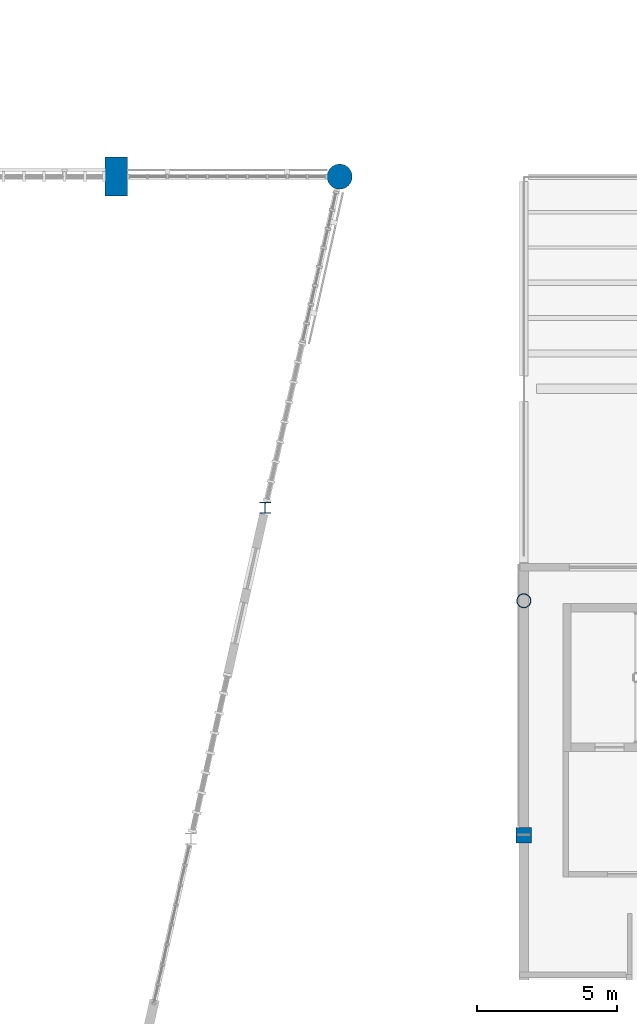
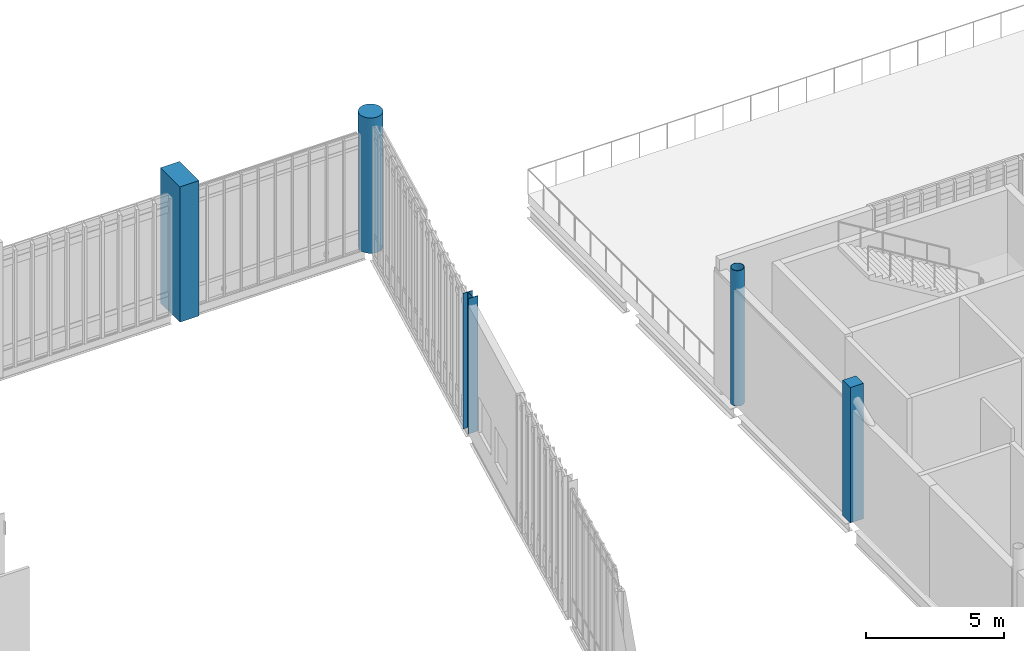
# One storey, part 7 of 135: 5 columns.
"""IFC4 building model written with IfcOpenShell, lengths in metres."""

from ifc_helpers import new_model, si_unit, direction, frame, origin, origin_2d, place, context, subcontext, project, spatial, rectangle, circle, hollow_circle, i_section, extrude, material, material_profile, profile_set, type_object, element, save


model = new_model("IFC4")

# Units and contexts
model_context = context("Model", 3, precision=1e-05, world=origin(), true_north=direction((0.0, 1.0)))
body_context = subcontext(model_context, "Body", "Model", "MODEL_VIEW")
ifc_project = project(units=[si_unit("LENGTHUNIT", "METRE"), si_unit("AREAUNIT", "SQUARE_METRE"), si_unit("VOLUMEUNIT", "CUBIC_METRE"), si_unit("PLANEANGLEUNIT", "RADIAN"), si_unit("MASSUNIT", "GRAM", prefix="KILO")], contexts=[model_context])

# Site, building, storey
site_placement = place(None, origin())
site = spatial("IfcSite", under=ifc_project, at=site_placement, CompositionType="ELEMENT")
building_placement = place(site_placement, origin())
building = spatial("IfcBuilding", under=site, at=building_placement, Name="Larkvane Passage Sports Hall", CompositionType="ELEMENT")
storey_placement = place(building_placement, frame((0.0, 0.0, 10.800048828125)))
storey = spatial("IfcBuildingStorey", under=building, at=storey_placement, Name="L02", CompositionType="ELEMENT", Elevation=10.800048828125)

# Columns
ifc_material_1 = material(Name="Concrete C50/60", Category="concrete")
ifc_material_profile_1 = material_profile(ifc_material_1, circle(Radius=0.449951171875, at=origin_2d()), Name="RC-CIR-900")
ifc_profile_set_1 = profile_set([ifc_material_profile_1], Name="Concrete C50/60")
column_type_1 = type_object("IfcColumnType", Name="COL-CIR-900", PredefinedType="COLUMN", material=ifc_profile_set_1)
column_1_placement = place(storey_placement, frame((118.0, 99.199951171875, 0.0), z_axis=(0.0, 0.0, 1.0), x_axis=(1.0, 0.0, 0.0)))
element("IfcColumn", 1, at=column_1_placement, inside=storey, type_object=column_type_1, Name="Column 16/M L02", PredefinedType="COLUMN", context=body_context, shape_type="SweptSolid", body=[
    extrude(circle(Radius=0.449951171875, at=origin_2d()), origin(), (0.0, 0.0, 1.0), 6.0),
])
ifc_material_2 = material(Name="Concrete C40/50", Category="concrete")
ifc_material_profile_2 = material_profile(ifc_material_2, rectangle(XDim=0.550048828125, YDim=0.550048828125, at=origin_2d()), Name="RC-COL-550x550")
ifc_profile_set_2 = profile_set([ifc_material_profile_2], Name="Concrete C40/50")
column_type_2 = type_object("IfcColumnType", Name="COL-RC-550", PredefinedType="COLUMN", material=ifc_profile_set_2)
column_2_placement = place(storey_placement, frame((124.60009765625, 75.60009765625, 0.0), z_axis=(0.0, 0.0, 1.0), x_axis=(1.0, 0.0, 0.0)))
element("IfcColumn", 2, at=column_2_placement, inside=storey, type_object=column_type_2, Name="Column 17/J L02", PredefinedType="COLUMN", context=body_context, shape_type="SweptSolid", body=[
    extrude(rectangle(XDim=0.550048828125, YDim=0.550048828125, at=origin_2d()), origin(), (0.0, 0.0, 1.0), 6.0),
])
ifc_material_profile_3 = material_profile(ifc_material_1, rectangle(XDim=0.800048828125, YDim=1.39990234375, at=origin_2d()), Name="RC-COL-800x1400")
ifc_profile_set_3 = profile_set([ifc_material_profile_3], Name="Concrete C50/60")
column_type_3 = type_object("IfcColumnType", Name="COL-RC-800x1400", PredefinedType="COLUMN", material=ifc_profile_set_3)
column_3_placement = place(storey_placement, frame((110.0, 99.199951171875, 0.0), z_axis=(0.0, 0.0, 1.0), x_axis=(1.0, 0.0, 0.0)))
element("IfcColumn", 3, at=column_3_placement, inside=storey, type_object=column_type_3, Name="Column 15/M L02", PredefinedType="COLUMN", context=body_context, shape_type="SweptSolid", body=[
    extrude(rectangle(XDim=0.800048828125, YDim=1.39990234375, at=origin_2d()), origin(), (0.0, 0.0, 1.0), 6.0),
])
ifc_material_3 = material(Name="Steel S460N", Category="steel")
ifc_material_profile_4 = material_profile(ifc_material_3, hollow_circle(Radius=0.25390625, WallThickness=0.01904296875, at=origin_2d()), Name="CHS-508.0x19.0")
ifc_profile_set_4 = profile_set([ifc_material_profile_4], Name="Steel S460N")
column_type_4 = type_object("IfcColumnType", Name="COL-STL-CHS508", PredefinedType="COLUMN", material=ifc_profile_set_4)
column_4_placement = place(storey_placement, frame((124.60009765625, 84.0, 0.0), z_axis=(0.0, 0.0, 1.0), x_axis=(1.0, 0.0, 0.0)))
element("IfcColumn", 4, at=column_4_placement, inside=storey, type_object=column_type_4, Name="Column 17/K L02", PredefinedType="COLUMN", context=body_context, shape_type="SweptSolid", body=[
    extrude(hollow_circle(Radius=0.25390625, WallThickness=0.01904296875, at=origin_2d()), origin(), (0.0, 0.0, 1.0), 6.0),
])
ifc_material_4 = material(Name="Steel S355JR", Category="steel")
ifc_material_profile_5 = material_profile(ifc_material_4, i_section(OverallWidth=0.39990234375, OverallDepth=0.39990234375, WebThickness=0.012939453125, FlangeThickness=0.02099609375, FilletRadius=0.02197265625, at=origin_2d()), Name="H-400x400x13x21")
ifc_profile_set_5 = profile_set([ifc_material_profile_5], Name="Steel S355JR")
column_type_5 = type_object("IfcColumnType", Name="COL-STL-H400", PredefinedType="COLUMN", material=ifc_profile_set_5)
column_5_placement = place(storey_placement, frame((115.330078125, 87.330078125, 0.0), z_axis=(0.0, 0.0, 1.0), x_axis=(1.0, 0.0, 0.0)))
element("IfcColumn", 5, at=column_5_placement, inside=storey, type_object=column_type_5, Name="Climbing hall east facade column V3E-2 L02", PredefinedType="COLUMN", context=body_context, shape_type="SweptSolid", body=[
    extrude(i_section(OverallWidth=0.39990234375, OverallDepth=0.39990234375, WebThickness=0.012939453125, FlangeThickness=0.02099609375, FilletRadius=0.02197265625, at=origin_2d()), origin(), (0.0, 0.0, 1.0), 6.0),
])

save(model, "model.ifc")
